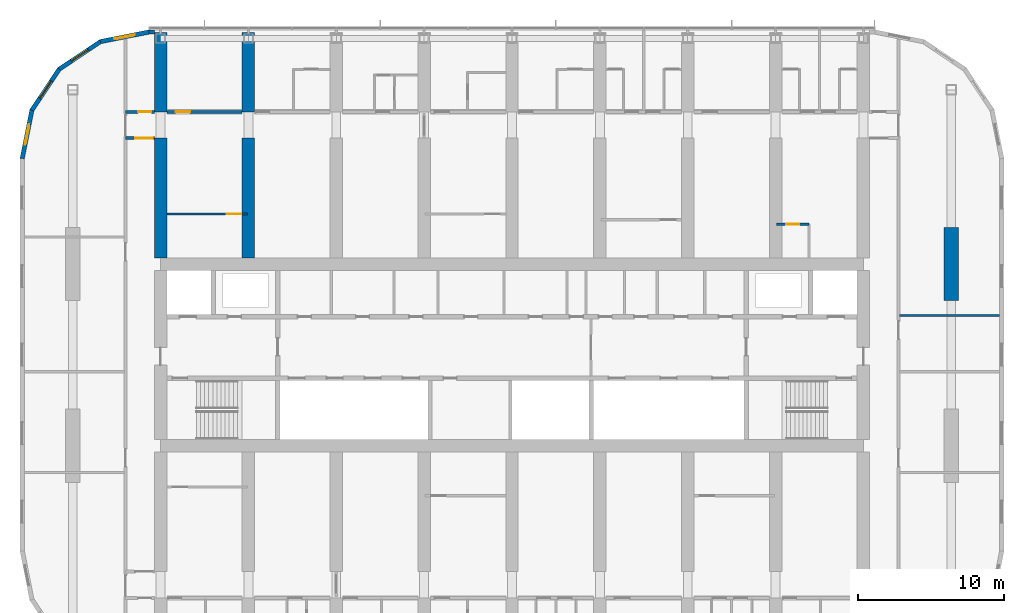
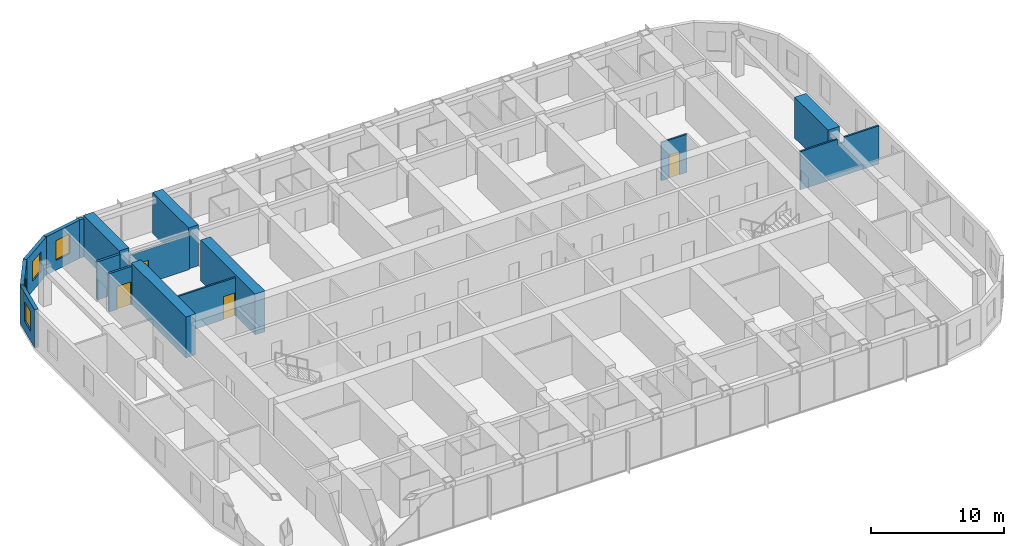
# One storey, part 15 of 23: 16 walls, 5 doors, 4 windows, 9 openings.
"""IFC4 building model written with IfcOpenShell, lengths in metres."""

from ifc_helpers import new_model, si_unit, direction, frame, frame_2d, origin, place, context, subcontext, project, spatial, polyline, rectangle, outline, extrude, material, layer, layer_set, type_object, element, fill, save


model = new_model("IFC4")

# Units and contexts
model_context = context("Model", 3, precision=1e-05, world=origin(), true_north=direction((0.0, 1.0)))
body_context = subcontext(model_context, "Body", "Model", "MODEL_VIEW")
ifc_project = project(units=[si_unit("LENGTHUNIT", "METRE"), si_unit("AREAUNIT", "SQUARE_METRE"), si_unit("VOLUMEUNIT", "CUBIC_METRE"), si_unit("PLANEANGLEUNIT", "RADIAN"), si_unit("MASSUNIT", "GRAM", prefix="KILO")], contexts=[model_context])

# Site, building, storey
site_placement = place(None, origin())
site = spatial("IfcSite", under=ifc_project, at=site_placement, CompositionType="ELEMENT")
building_placement = place(site_placement, origin())
building = spatial("IfcBuilding", under=site, at=building_placement, Name="Orbita Commons", CompositionType="ELEMENT")
storey_placement = place(building_placement, frame((0.0, 0.0, 171.10009765625)))
storey = spatial("IfcBuildingStorey", under=building, at=storey_placement, Name="L42", CompositionType="ELEMENT", Elevation=171.10009765625)

# Wall, opening, door
ifc_material_1 = material(Name="Concrete blockwork", Category="masonry")
ifc_layer_1 = layer(ifc_material_1, 0.199951171875)
ifc_layer_set_1 = layer_set([ifc_layer_1], Name="Concrete blockwork")
wall_type_1 = type_object("IfcWallType", Name="Corridor wall 200 blockwork", PredefinedType="SOLIDWALL", material=ifc_layer_set_1)
wall_1_placement = place(storey_placement, frame((15.60009765625, 48.60009765625, 0.0), z_axis=(0.0, 0.0, 1.0), x_axis=(1.0, 0.0, 0.0)))
wall_1 = element("IfcWall", 1, at=wall_1_placement, inside=storey, type_object=wall_type_1, Name="Corridor wall 200 blockwork L42", PredefinedType="SOLIDWALL", context=body_context, shape_type="SweptSolid", body=[
    extrude(rectangle(XDim=1.974853515625, YDim=0.199951171875, at=frame_2d((0.9873046875, 0.0))), origin(), (0.0, 0.0, 1.0), 3.5),
])
opening_1_placement = place(wall_1_placement, frame((0.875, 0.0, 0.0)))
opening_1 = element("IfcOpeningElement", 2, at=opening_1_placement, cuts=wall_1, Name="Opening D05", PredefinedType="OPENING", context=body_context, shape_type="SweptSolid", body=[
    extrude(rectangle(XDim=0.89990234375, YDim=2.10009765625, at=frame_2d((0.449951171875, 1.050048828125))), frame((0.0, 0.10986328125, 0.0), z_axis=(0.0, -1.0, 0.0), x_axis=(1.0, 0.0, 0.0)), (0.0, 0.0, 1.0), 0.219970703125),
])
ifc_material_2 = material(Name="Steel-faced fire door leaf", Category="steel")
door_type_1 = type_object("IfcDoorType", Name="Service door 20 min 900x2100", OperationType="SINGLE_SWING_LEFT", PredefinedType="DOOR", material=ifc_material_2)
door_1_placement = place(opening_1_placement, origin())
door_1 = element("IfcDoor", 3, at=door_1_placement, inside=storey, type_object=door_type_1, Name="Linen store L42-KWN door", OperationType="SINGLE_SWING_LEFT", OverallHeight=2.10009765625, OverallWidth=0.89990234375, PredefinedType="DOOR", context=body_context, shape_type="SweptSolid", body=[
    extrude(rectangle(XDim=0.89990234375, YDim=2.10009765625, at=frame_2d((0.449951171875, 1.050048828125))), frame((0.0, 0.02490234375, 0.0), z_axis=(0.0, -1.0, 0.0), x_axis=(1.0, 0.0, 0.0)), (0.0, 0.0, 1.0), 0.050048828125),
])
fill(opening_1, door_1)

wall_2_placement = place(storey_placement, frame((18.425048828125, 48.60009765625, 0.0), z_axis=(0.0, 0.0, 1.0), x_axis=(1.0, 0.0, 0.0)))
wall_2 = element("IfcWall", 4, at=wall_2_placement, inside=storey, type_object=wall_type_1, Name="Corridor wall 200 blockwork L42", PredefinedType="SOLIDWALL", context=body_context, shape_type="SweptSolid", body=[
    extrude(outline(polyline([(0.0, 0.0), (5.14990234375, 0.0), (5.14990234375, 3.099853515625), (0.0, 3.099853515625), (0.0, 0.0)])), frame((0.0, 0.10009765625, 0.0), z_axis=(0.0, -1.0, 0.0), x_axis=(1.0, 0.0, 0.0)), (0.0, 0.0, 1.0), 0.199951171875),
])
opening_2_placement = place(wall_2_placement, frame((0.60009765625, 0.0, 0.0)))
opening_2 = element("IfcOpeningElement", 5, at=opening_2_placement, cuts=wall_2, Name="Opening D06", PredefinedType="OPENING", context=body_context, shape_type="SweptSolid", body=[
    extrude(rectangle(XDim=1.0, YDim=2.10009765625, at=frame_2d((0.5, 1.050048828125))), frame((0.0, 0.10986328125, 0.0), z_axis=(0.0, -1.0, 0.0), x_axis=(1.0, 0.0, 0.0)), (0.0, 0.0, 1.0), 0.219970703125),
])
ifc_material_3 = material(Name="Steel-faced fire door leaf", Category="steel")
door_type_2 = type_object("IfcDoorType", Name="Corridor door 20 min 1000x2100", OperationType="SINGLE_SWING_LEFT", PredefinedType="DOOR", material=ifc_material_3)
door_2_placement = place(opening_2_placement, origin())
door_2 = element("IfcDoor", 6, at=door_2_placement, inside=storey, type_object=door_type_2, Name="Sea-view lounge L42-N00 door", OperationType="SINGLE_SWING_LEFT", OverallHeight=2.10009765625, OverallWidth=1.0, PredefinedType="DOOR", context=body_context, shape_type="SweptSolid", body=[
    extrude(rectangle(XDim=1.0, YDim=2.10009765625, at=frame_2d((0.5, 1.050048828125))), frame((0.0, 0.02490234375, 0.0), z_axis=(0.0, -1.0, 0.0), x_axis=(1.0, 0.0, 0.0)), (0.0, 0.0, 1.0), 0.050048828125),
])
fill(opening_2, door_2)

ifc_material_4 = material(Name="Hollow concrete block 200", Category="concrete")
ifc_layer_2 = layer(ifc_material_4, 0.199951171875)
ifc_layer_set_2 = layer_set([ifc_layer_2], Name="Hollow concrete block 200")
wall_type_2 = type_object("IfcWallType", Name="Corridor wall 200 hollow concrete block", PredefinedType="SOLIDWALL", material=ifc_layer_set_2)
wall_3_placement = place(storey_placement, frame((15.60009765625, 46.800048828125, 0.0), z_axis=(0.0, 0.0, 1.0), x_axis=(1.0, 0.0, 0.0)))
wall_3 = element("IfcWall", 7, at=wall_3_placement, inside=storey, type_object=wall_type_2, Name="Corridor wall 200 hollow concrete block L42", PredefinedType="SOLIDWALL", context=body_context, shape_type="SweptSolid", body=[
    extrude(rectangle(XDim=1.974853515625, YDim=0.199951171875, at=frame_2d((0.9873046875, 0.0))), origin(), (0.0, 0.0, 1.0), 3.5),
])
opening_3_placement = place(wall_3_placement, frame((0.675048828125, 0.0, 0.0)))
opening_3 = element("IfcOpeningElement", 8, at=opening_3_placement, cuts=wall_3, Name="Opening D12", PredefinedType="OPENING", context=body_context, shape_type="SweptSolid", body=[
    extrude(rectangle(XDim=1.199951171875, YDim=2.10009765625, at=frame_2d((0.60009765625, 1.050048828125))), frame((0.0, 0.10986328125, 0.0), z_axis=(0.0, -1.0, 0.0), x_axis=(1.0, 0.0, 0.0)), (0.0, 0.0, 1.0), 0.219970703125),
])
ifc_material_5 = material(Name="Steel-faced fire door leaf", Category="steel")
door_type_3 = type_object("IfcDoorType", Name="Double corridor door 20 min 1200x2100", OperationType="DOUBLE_DOOR_SINGLE_SWING", PredefinedType="DOOR", material=ifc_material_5)
door_3_placement = place(opening_3_placement, origin())
door_3 = element("IfcDoor", 9, at=door_3_placement, inside=storey, type_object=door_type_3, Name="Cross corridor doors", OperationType="DOUBLE_DOOR_SINGLE_SWING", OverallHeight=2.10009765625, OverallWidth=1.199951171875, PredefinedType="DOOR", context=body_context, shape_type="SweptSolid", body=[
    extrude(rectangle(XDim=1.199951171875, YDim=2.10009765625, at=frame_2d((0.60009765625, 1.050048828125))), frame((0.0, 0.02490234375, 0.0), z_axis=(0.0, -1.0, 0.0), x_axis=(1.0, 0.0, 0.0)), (0.0, 0.0, 1.0), 0.050048828125),
])
fill(opening_3, door_3)

# Walls
ifc_material_6 = material(Name="Concrete C50/60", Category="concrete")
ifc_layer_3 = layer(ifc_material_6, 0.85009765625)
ifc_layer_set_3 = layer_set([ifc_layer_3], Name="Concrete C50/60")
wall_type_3 = type_object("IfcWallType", Name="Cross wall 850 C50/60", PredefinedType="SHEAR", material=ifc_layer_set_3)
wall_4_placement = place(storey_placement, frame((18.0, 48.60009765625, 0.0), z_axis=(0.0, 0.0, 1.0), x_axis=(0.0, 1.0, 0.0)))
element("IfcWall", 10, at=wall_4_placement, inside=storey, type_object=wall_type_3, Name="Cross wall 4 north outer L42", PredefinedType="SHEAR", context=body_context, shape_type="SweptSolid", body=[
    extrude(rectangle(XDim=5.39990234375, YDim=0.85009765625, at=frame_2d((2.699951171875, 0.0))), origin(), (0.0, 0.0, 1.0), 3.75),
])
wall_5_placement = place(storey_placement, frame((18.0, 38.625, 0.0), z_axis=(0.0, 0.0, 1.0), x_axis=(0.0, 1.0, 0.0)))
element("IfcWall", 11, at=wall_5_placement, inside=storey, type_object=wall_type_3, Name="Cross wall 4 north inner L42", PredefinedType="SHEAR", context=body_context, shape_type="SweptSolid", body=[
    extrude(rectangle(XDim=8.175048828125, YDim=0.85009765625, at=frame_2d((4.08740234375, 0.0))), origin(), (0.0, 0.0, 1.0), 3.75),
])
wall_6_placement = place(storey_placement, frame((24.0, 48.60009765625, 0.0), z_axis=(0.0, 0.0, 1.0), x_axis=(0.0, 1.0, 0.0)))
element("IfcWall", 12, at=wall_6_placement, inside=storey, type_object=wall_type_3, Name="Cross wall 5 north outer L42", PredefinedType="SHEAR", context=body_context, shape_type="SweptSolid", body=[
    extrude(rectangle(XDim=5.39990234375, YDim=0.85009765625, at=frame_2d((2.699951171875, 0.0))), origin(), (0.0, 0.0, 1.0), 3.75),
])
wall_7_placement = place(storey_placement, frame((24.0, 38.625, 0.0), z_axis=(0.0, 0.0, 1.0), x_axis=(0.0, 1.0, 0.0)))
element("IfcWall", 13, at=wall_7_placement, inside=storey, type_object=wall_type_3, Name="Cross wall 5 north inner L42", PredefinedType="SHEAR", context=body_context, shape_type="SweptSolid", body=[
    extrude(rectangle(XDim=8.175048828125, YDim=0.85009765625, at=frame_2d((4.08740234375, 0.0))), origin(), (0.0, 0.0, 1.0), 3.75),
])
ifc_material_7 = material(Name="Concrete C50/60", Category="concrete")
ifc_layer_4 = layer(ifc_material_7, 1.0)
ifc_layer_set_4 = layer_set([ifc_layer_4], Name="Concrete C50/60")
wall_type_4 = type_object("IfcWallType", Name="End pier 1000x5000 C50/60", PredefinedType="SHEAR", material=ifc_layer_set_4)
wall_8_placement = place(storey_placement, frame((72.0, 35.699951171875, 0.0), z_axis=(0.0, 0.0, 1.0), x_axis=(0.0, 1.0, 0.0)))
element("IfcWall", 14, at=wall_8_placement, inside=storey, type_object=wall_type_4, Name="End pier 13/D L42", PredefinedType="SHEAR", context=body_context, shape_type="SweptSolid", body=[
    extrude(rectangle(XDim=5.0, YDim=1.0, at=frame_2d((2.5, 0.0))), origin(), (0.0, 0.0, 1.0), 3.75),
])

# Wall, opening, door
ifc_material_8 = material(Name="Gypsum plasterboard on steel studs", Category="steel")
ifc_layer_5 = layer(ifc_material_8, 0.14990234375)
ifc_layer_set_5 = layer_set([ifc_layer_5], Name="Gypsum plasterboard on steel studs")
wall_type_5 = type_object("IfcWallType", Name="Partition 150 plasterboard", PredefinedType="PARTITIONING", material=ifc_layer_set_5)
wall_9_placement = place(storey_placement, frame((23.925048828125, 41.625, 0.0), z_axis=(0.0, 0.0, 1.0), x_axis=(-1.0, 0.0, 0.0)))
wall_9 = element("IfcWall", 15, at=wall_9_placement, inside=storey, type_object=wall_type_5, Name="Partition 150 plasterboard L42", PredefinedType="PARTITIONING", context=body_context, shape_type="SweptSolid", body=[
    extrude(rectangle(XDim=5.5, YDim=0.14990234375, at=frame_2d((2.75, 0.0))), origin(), (0.0, 0.0, 1.0), 3.5),
])
opening_4_placement = place(wall_9_placement, frame((0.39990234375, 0.0, 0.0)))
opening_4 = element("IfcOpeningElement", 16, at=opening_4_placement, cuts=wall_9, Name="Opening D18", PredefinedType="OPENING", context=body_context, shape_type="SweptSolid", body=[
    extrude(rectangle(XDim=1.0, YDim=2.10009765625, at=frame_2d((0.5, 1.050048828125))), frame((0.0, 0.0849609375, 0.0), z_axis=(0.0, -1.0, 0.0), x_axis=(1.0, 0.0, 0.0)), (0.0, 0.0, 1.0), 0.169921875),
])
ifc_material_9 = material(Name="Steel-faced fire door leaf", Category="steel")
door_type_4 = type_object("IfcDoorType", Name="Service door 20 min 1000x2100", OperationType="SINGLE_SWING_LEFT", PredefinedType="DOOR", material=ifc_material_9)
door_4_placement = place(opening_4_placement, origin())
door_4 = element("IfcDoor", 17, at=door_4_placement, inside=storey, type_object=door_type_4, Name="Bulk and luggage store L42-BDN18 door", OperationType="SINGLE_SWING_LEFT", OverallHeight=2.10009765625, OverallWidth=1.0, PredefinedType="DOOR", context=body_context, shape_type="SweptSolid", body=[
    extrude(rectangle(XDim=1.0, YDim=2.10009765625, at=frame_2d((0.5, 1.050048828125))), frame((0.0, 0.02490234375, 0.0), z_axis=(0.0, -1.0, 0.0), x_axis=(1.0, 0.0, 0.0)), (0.0, 0.0, 1.0), 0.050048828125),
])
fill(opening_4, door_4)

wall_10_placement = place(storey_placement, frame((62.27490234375, 40.925048828125, 0.0), z_axis=(0.0, 0.0, 1.0), x_axis=(-1.0, 0.0, 0.0)))
wall_10 = element("IfcWall", 18, at=wall_10_placement, inside=storey, type_object=wall_type_5, Name="Partition 150 plasterboard L42", PredefinedType="PARTITIONING", context=body_context, shape_type="SweptSolid", body=[
    extrude(rectangle(XDim=2.199951171875, YDim=0.14990234375, at=frame_2d((1.10009765625, 0.0))), origin(), (0.0, 0.0, 1.0), 3.5),
])
opening_5_placement = place(wall_10_placement, frame((0.64990234375, 0.0, 0.0)))
opening_5 = element("IfcOpeningElement", 19, at=opening_5_placement, cuts=wall_10, Name="Opening D05", PredefinedType="OPENING", context=body_context, shape_type="SweptSolid", body=[
    extrude(rectangle(XDim=0.89990234375, YDim=2.10009765625, at=frame_2d((0.449951171875, 1.050048828125))), frame((0.0, 0.0849609375, 0.0), z_axis=(0.0, -1.0, 0.0), x_axis=(1.0, 0.0, 0.0)), (0.0, 0.0, 1.0), 0.169921875),
])
door_5_placement = place(opening_5_placement, origin())
door_5 = element("IfcDoor", 20, at=door_5_placement, inside=storey, type_object=door_type_1, Name="Accessible WC L42-BDN60 door", OperationType="SINGLE_SWING_LEFT", OverallHeight=2.10009765625, OverallWidth=0.89990234375, PredefinedType="DOOR", context=body_context, shape_type="SweptSolid", body=[
    extrude(rectangle(XDim=0.89990234375, YDim=2.10009765625, at=frame_2d((0.449951171875, 1.050048828125))), frame((0.0, 0.02490234375, 0.0), z_axis=(0.0, -1.0, 0.0), x_axis=(1.0, 0.0, 0.0)), (0.0, 0.0, 1.0), 0.050048828125),
])
fill(opening_5, door_5)

# Wall
wall_11_placement = place(storey_placement, frame((68.47509765625, 34.679931640625, 0.0), z_axis=(0.0, 0.0, 1.0), x_axis=(1.0, 0.0, 0.0)))
element("IfcWall", 21, at=wall_11_placement, inside=storey, type_object=wall_type_5, Name="Partition 150 plasterboard L42", PredefinedType="PARTITIONING", context=body_context, shape_type="SweptSolid", body=[
    extrude(outline(polyline([(0.0, 0.0), (6.81982421875, 0.0), (6.820068359375, 3.5), (3.826904296875, 3.5), (3.824951171875, 3.0498046875), (3.22705078125, 3.0498046875), (3.22509765625, 3.5), (0.0, 3.5), (0.0, 0.0)])), frame((0.0, 0.074951171875, 0.0), z_axis=(0.0, -1.0, 0.0), x_axis=(1.0, 0.0, 0.0)), (0.0, 0.0, 1.0), 0.14990234375),
])

# Wall, opening, window
ifc_material_10 = material(Name="Precast concrete C40/50, white board-marked finish", Category="concrete")
ifc_layer_6 = layer(ifc_material_10, 0.300048828125)
ifc_layer_set_6 = layer_set([ifc_layer_6], Name="Precast concrete C40/50, white board-marked finish")
wall_type_6 = type_object("IfcWallType", Name="Precast concrete end shield 300", PredefinedType="SOLIDWALL", material=ifc_layer_set_6)
wall_12_placement = place(storey_placement, frame((17.199951171875, 54.050048828125, 0.0), z_axis=(0.0, 0.0, 1.0), x_axis=(-0.98078325777, -0.195100490205, 0.0)))
wall_12 = element("IfcWall", 22, at=wall_12_placement, inside=storey, type_object=wall_type_6, Name="End shield NW chord 1 L42", PredefinedType="SOLIDWALL", context=body_context, shape_type="SweptSolid", body=[
    extrude(outline(polyline([(-0.02978515625, -0.14990234375), (3.40478515625, -0.14990234375), (3.34521484375, 0.14990234375), (0.02978515625, 0.14990234375), (-0.02978515625, -0.14990234375)])), origin(), (0.0, 0.0, 1.0), 3.5),
])
opening_6_placement = place(wall_12_placement, frame((0.987548828125, 0.0, 0.89990234375)))
opening_6 = element("IfcOpeningElement", 23, at=opening_6_placement, cuts=wall_12, Name="Opening W02", PredefinedType="OPENING", context=body_context, shape_type="SweptSolid", body=[
    extrude(rectangle(XDim=1.39990234375, YDim=1.800048828125, at=frame_2d((0.699951171875, 0.89990234375))), frame((0.0, 0.159912109375, 0.0), z_axis=(0.0, -1.0, 0.0), x_axis=(1.0, 0.0, 0.0)), (0.0, 0.0, 1.0), 0.320068359375),
])
ifc_material_11 = material(Name="Aluminium frame, clear double glazing", Category="aluminium")
window_type = type_object("IfcWindowType", Name="Deep-set window 1400x1800", PartitioningType="SINGLE_PANEL", PredefinedType="WINDOW", material=ifc_material_11)
window_1_placement = place(opening_6_placement, origin())
window_1 = element("IfcWindow", 24, at=window_1_placement, inside=storey, type_object=window_type, Name="Window L42-NW0", OverallHeight=1.800048828125, OverallWidth=1.39990234375, PartitioningType="SINGLE_PANEL", PredefinedType="WINDOW", context=body_context, shape_type="SweptSolid", body=[
    extrude(rectangle(XDim=1.39990234375, YDim=1.800048828125, at=frame_2d((0.699951171875, 0.89990234375))), frame((0.0, 0.030029296875, 0.0), z_axis=(0.0, -1.0, 0.0), x_axis=(1.0, 0.0, 0.0)), (0.0, 0.0, 1.0), 0.06005859375),
])
fill(opening_6, window_1)

wall_13_placement = place(storey_placement, frame((13.889892578125, 53.3916015625, 0.0), z_axis=(0.0, 0.0, 1.0), x_axis=(-0.831493450887, -0.555534554399, 0.0)))
wall_13 = element("IfcWall", 25, at=wall_13_placement, inside=storey, type_object=wall_type_6, Name="End shield NW chord 2 L42", PredefinedType="SOLIDWALL", context=body_context, shape_type="SweptSolid", body=[
    extrude(outline(polyline([(-0.02978515625, -0.14990234375), (3.405029296875, -0.14990234375), (3.345458984375, 0.14990234375), (0.02978515625, 0.14990234375), (-0.02978515625, -0.14990234375)])), origin(), (0.0, 0.0, 1.0), 3.5),
])
opening_7_placement = place(wall_13_placement, frame((0.987548828125, 0.0, 0.89990234375)))
opening_7 = element("IfcOpeningElement", 26, at=opening_7_placement, cuts=wall_13, Name="Opening W02", PredefinedType="OPENING", context=body_context, shape_type="SweptSolid", body=[
    extrude(rectangle(XDim=1.39990234375, YDim=1.800048828125, at=frame_2d((0.699951171875, 0.89990234375))), frame((0.0, 0.159912109375, 0.0), z_axis=(0.0, -1.0, 0.0), x_axis=(1.0, 0.0, 0.0)), (0.0, 0.0, 1.0), 0.320068359375),
])
window_2_placement = place(opening_7_placement, origin())
window_2 = element("IfcWindow", 27, at=window_2_placement, inside=storey, type_object=window_type, Name="Window L42-NW1", OverallHeight=1.800048828125, OverallWidth=1.39990234375, PartitioningType="SINGLE_PANEL", PredefinedType="WINDOW", context=body_context, shape_type="SweptSolid", body=[
    extrude(rectangle(XDim=1.39990234375, YDim=1.800048828125, at=frame_2d((0.699951171875, 0.89990234375))), frame((0.0, 0.030029296875, 0.0), z_axis=(0.0, -1.0, 0.0), x_axis=(1.0, 0.0, 0.0)), (0.0, 0.0, 1.0), 0.06005859375),
])
fill(opening_7, window_2)

wall_14_placement = place(storey_placement, frame((11.08349609375, 51.5166015625, 0.0), z_axis=(0.0, 0.0, 1.0), x_axis=(-0.555534554399, -0.831493450887, 0.0)))
wall_14 = element("IfcWall", 28, at=wall_14_placement, inside=storey, type_object=wall_type_6, Name="End shield NW chord 3 L42", PredefinedType="SOLIDWALL", context=body_context, shape_type="SweptSolid", body=[
    extrude(outline(polyline([(-0.02978515625, -0.14990234375), (3.405029296875, -0.14990234375), (3.345458984375, 0.14990234375), (0.02978515625, 0.14990234375), (-0.02978515625, -0.14990234375)])), origin(), (0.0, 0.0, 1.0), 3.5),
])
opening_8_placement = place(wall_14_placement, frame((0.987548828125, 0.0, 0.89990234375)))
opening_8 = element("IfcOpeningElement", 29, at=opening_8_placement, cuts=wall_14, Name="Opening W02", PredefinedType="OPENING", context=body_context, shape_type="SweptSolid", body=[
    extrude(rectangle(XDim=1.39990234375, YDim=1.800048828125, at=frame_2d((0.699951171875, 0.89990234375))), frame((0.0, 0.159912109375, 0.0), z_axis=(0.0, -1.0, 0.0), x_axis=(1.0, 0.0, 0.0)), (0.0, 0.0, 1.0), 0.320068359375),
])
window_3_placement = place(opening_8_placement, origin())
window_3 = element("IfcWindow", 30, at=window_3_placement, inside=storey, type_object=window_type, Name="Window L42-NW2", OverallHeight=1.800048828125, OverallWidth=1.39990234375, PartitioningType="SINGLE_PANEL", PredefinedType="WINDOW", context=body_context, shape_type="SweptSolid", body=[
    extrude(rectangle(XDim=1.39990234375, YDim=1.800048828125, at=frame_2d((0.699951171875, 0.89990234375))), frame((0.0, 0.030029296875, 0.0), z_axis=(0.0, -1.0, 0.0), x_axis=(1.0, 0.0, 0.0)), (0.0, 0.0, 1.0), 0.06005859375),
])
fill(opening_8, window_3)

wall_15_placement = place(storey_placement, frame((9.20849609375, 48.710205078125, 0.0), z_axis=(0.0, 0.0, 1.0), x_axis=(-0.19508664885, -0.980786011034, 0.0)))
wall_15 = element("IfcWall", 31, at=wall_15_placement, inside=storey, type_object=wall_type_6, Name="End shield NW chord 4 L42", PredefinedType="SOLIDWALL", context=body_context, shape_type="SweptSolid", body=[
    extrude(outline(polyline([(-0.02978515625, -0.14990234375), (3.39013671875, -0.14990234375), (3.3603515625, 0.14990234375), (0.02978515625, 0.14990234375), (-0.02978515625, -0.14990234375)])), origin(), (0.0, 0.0, 1.0), 3.5),
])
opening_9_placement = place(wall_15_placement, frame((0.987548828125, 0.0, 0.89990234375)))
opening_9 = element("IfcOpeningElement", 32, at=opening_9_placement, cuts=wall_15, Name="Opening W02", PredefinedType="OPENING", context=body_context, shape_type="SweptSolid", body=[
    extrude(rectangle(XDim=1.39990234375, YDim=1.800048828125, at=frame_2d((0.699951171875, 0.89990234375))), frame((0.0, 0.159912109375, 0.0), z_axis=(0.0, -1.0, 0.0), x_axis=(1.0, 0.0, 0.0)), (0.0, 0.0, 1.0), 0.320068359375),
])
window_4_placement = place(opening_9_placement, origin())
window_4 = element("IfcWindow", 33, at=window_4_placement, inside=storey, type_object=window_type, Name="Window L42-NW3", OverallHeight=1.800048828125, OverallWidth=1.39990234375, PartitioningType="SINGLE_PANEL", PredefinedType="WINDOW", context=body_context, shape_type="SweptSolid", body=[
    extrude(rectangle(XDim=1.39990234375, YDim=1.800048828125, at=frame_2d((0.699951171875, 0.89990234375))), frame((0.0, 0.030029296875, 0.0), z_axis=(0.0, -1.0, 0.0), x_axis=(1.0, 0.0, 0.0)), (0.0, 0.0, 1.0), 0.06005859375),
])
fill(opening_9, window_4)

# Wall
wall_16_placement = place(storey_placement, frame((17.199951171875, 54.050048828125, 0.0), z_axis=(0.0, 0.0, 1.0), x_axis=(1.0, 0.0, 0.0)))
element("IfcWall", 34, at=wall_16_placement, inside=storey, type_object=wall_type_6, Name="End shield NW closer L42", PredefinedType="SOLIDWALL", context=body_context, shape_type="SweptSolid", body=[
    extrude(rectangle(XDim=0.375, YDim=0.300048828125, at=frame_2d((0.1875, 0.0))), origin(), (0.0, 0.0, 1.0), 3.5),
])

save(model, "model.ifc")
